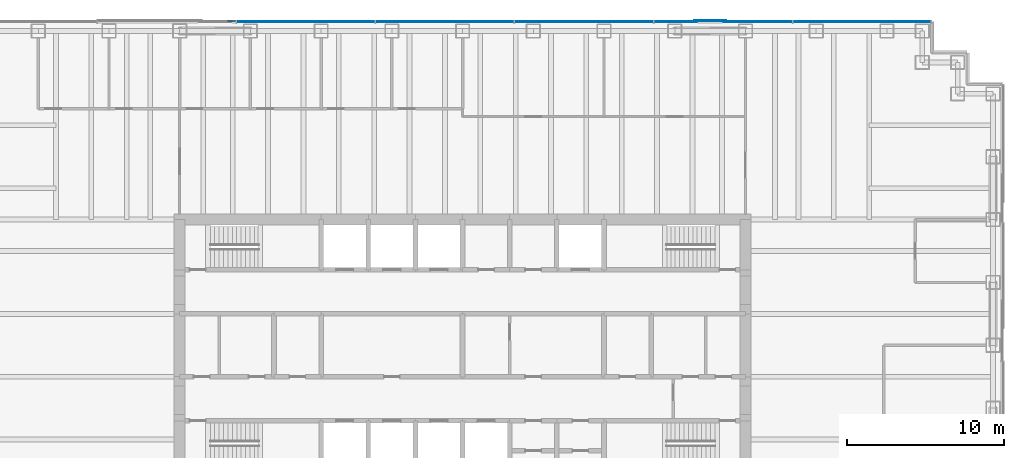
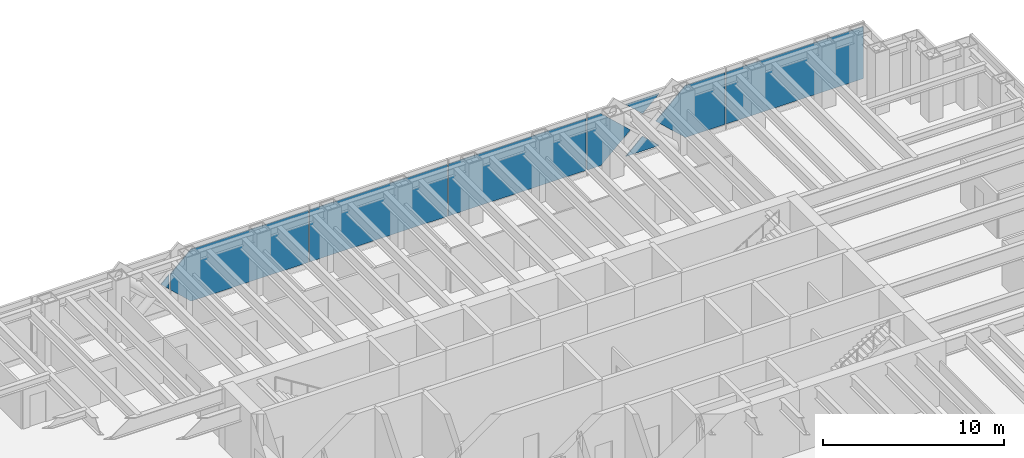
# One storey, part 12 of 17: 9 plates, 1 element without a shape of its own.
"""IFC4 building model written with IfcOpenShell, lengths in metres."""

from ifc_helpers import new_model, si_unit, direction, frame, origin, origin_2d, place, context, subcontext, project, spatial, polyline, rectangle, outline, extrude, material, layer, layer_set, type_object, element, aggregate, save


model = new_model("IFC4")

# Units and contexts
model_context = context("Model", 3, precision=1e-05, world=origin(), true_north=direction((0.0, 1.0)))
body_context = subcontext(model_context, "Body", "Model", "MODEL_VIEW")
ifc_project = project(units=[si_unit("LENGTHUNIT", "METRE"), si_unit("AREAUNIT", "SQUARE_METRE"), si_unit("VOLUMEUNIT", "CUBIC_METRE"), si_unit("PLANEANGLEUNIT", "RADIAN"), si_unit("MASSUNIT", "GRAM", prefix="KILO")], contexts=[model_context])

# Site, building, storey
site_placement = place(None, origin())
site = spatial("IfcSite", under=ifc_project, at=site_placement, CompositionType="ELEMENT")
building_placement = place(site_placement, origin())
building = spatial("IfcBuilding", under=site, at=building_placement, Name="Rheinbord Bourse Tower", CompositionType="ELEMENT")
storey_placement = place(building_placement, frame((0.0, 0.0, 317.300048828125)))
storey = spatial("IfcBuildingStorey", under=building, at=storey_placement, Name="L72", CompositionType="ELEMENT", Elevation=317.300048828125)

# Curtain wall, plates
ifc_material_1 = material(Name="Dark glass and black aluminium", Category="aluminium")
curtain_wall_type = type_object("IfcCurtainWallType", Name="CW3 DARK GLASS CURTAIN WALL", PredefinedType="USERDEFINED", material=ifc_material_1)
curtain_wall_placement = place(storey_placement, origin())
curtain_wall = element("IfcCurtainWall", 1, at=curtain_wall_placement, inside=storey, type_object=curtain_wall_type, Name="Curtain wall CW3 N L72", ObjectType="UNITISED CURTAIN WALL", PredefinedType="USERDEFINED")
ifc_material_2 = material(Name="Dark tinted triple insulating glass", Category="glass")
ifc_layer = layer(ifc_material_2, 0.055908203125)
ifc_layer_set = layer_set([ifc_layer], Name="CW3 DARK GLASS PANEL")
plate_type = type_object("IfcPlateType", Name="CW3 DARK GLASS PANEL", PredefinedType="CURTAIN_PANEL", material=ifc_layer_set)
plate_1_placement = place(storey_placement, frame((61.40869140625, 44.60009765625, 0.349853515625), z_axis=(0.0, 0.0, 1.0), x_axis=(-1.0, 0.0, 0.0)))
plate_1 = element("IfcPlate", 2, at=plate_1_placement, type_object=plate_type, Name="CW3 panel 1.1", PredefinedType="CURTAIN_PANEL", context=body_context, shape_type="SweptSolid", body=[
    extrude(rectangle(XDim=8.75244140625, YDim=0.055908203125, at=origin_2d()), origin(), (0.0, 0.0, 1.0), 3.5),
])
plate_2_placement = place(storey_placement, frame((43.72509765625, 44.60009765625, 0.349853515625), z_axis=(0.0, 0.0, 1.0), x_axis=(-1.0, 0.0, 0.0)))
plate_2 = element("IfcPlate", 3, at=plate_2_placement, type_object=plate_type, Name="CW3 panel 3.1", PredefinedType="CURTAIN_PANEL", context=body_context, shape_type="SweptSolid", body=[
    extrude(rectangle(XDim=8.784912109375, YDim=0.055908203125, at=origin_2d()), origin(), (0.0, 0.0, 1.0), 3.5),
])
plate_3_placement = place(storey_placement, frame((34.875, 44.60009765625, 0.349853515625), z_axis=(0.0, 0.0, 1.0), x_axis=(-1.0, 0.0, 0.0)))
plate_3 = element("IfcPlate", 4, at=plate_3_placement, type_object=plate_type, Name="CW3 panel 4.1", PredefinedType="CURTAIN_PANEL", context=body_context, shape_type="SweptSolid", body=[
    extrude(rectangle(XDim=8.784912109375, YDim=0.055908203125, at=origin_2d()), origin(), (0.0, 0.0, 1.0), 3.5),
])
plate_4_placement = place(storey_placement, frame((56.967041015625, 44.6279296875, 0.349853515625), z_axis=(0.0, -1.0, 0.0), x_axis=(0.0, 0.0, 1.0)))
plate_4 = element("IfcPlate", 5, at=plate_4_placement, type_object=plate_type, Name="CW3 glass facet 1", PredefinedType="CURTAIN_PANEL", context=body_context, shape_type="SweptSolid", body=[
    extrude(outline(polyline([(0.0, 0.0), (3.5, 0.0), (3.5, 2.530029296875), (1.75, 4.405029296875), (0.0, 2.530029296875), (0.0, 0.0)])), origin(), (0.0, 0.0, 1.0), 0.055908203125),
])
plate_5_placement = place(storey_placement, frame((52.81298828125, 44.68896484375, 0.349853515625), z_axis=(0.0, -1.0, 0.0), x_axis=(-0.731032934472, 0.0, 0.682342178616)))
plate_5 = element("IfcPlate", 6, at=plate_5_placement, type_object=plate_type, Name="CW3 glass facet 2", PredefinedType="CURTAIN_PANEL", context=body_context, shape_type="SweptSolid", body=[
    extrude(outline(polyline([(0.0, 0.0), (1.4541015625, 0.0), (1.55419921875, 1.45068359375), (0.0, 0.0)])), origin(), (0.0, 0.0, 1.0), 0.055908203125),
])
plate_6_placement = place(storey_placement, frame((50.68701171875, 44.68896484375, 3.849853515625), z_axis=(0.0, -1.0, 0.0), x_axis=(0.731116689111, 0.0, -0.682252436348)))
plate_6 = element("IfcPlate", 7, at=plate_6_placement, type_object=plate_type, Name="CW3 glass facet 3", PredefinedType="CURTAIN_PANEL", context=body_context, shape_type="SweptSolid", body=[
    extrude(outline(polyline([(0.0, 0.0), (1.453857421875, 0.0), (1.554443359375, 1.450439453125), (0.0, 0.0)])), origin(), (0.0, 0.0, 1.0), 0.055908203125),
])
plate_7_placement = place(storey_placement, frame((48.181884765625, 44.6279296875, 3.849853515625), z_axis=(0.0, -1.0, 0.0), x_axis=(0.0, 0.0, -1.0)))
plate_7 = element("IfcPlate", 8, at=plate_7_placement, type_object=plate_type, Name="CW3 glass facet 4", PredefinedType="CURTAIN_PANEL", context=body_context, shape_type="SweptSolid", body=[
    extrude(outline(polyline([(0.0, 0.0), (3.5, 0.0), (3.5, 0.881103515625), (1.75, 2.756103515625), (0.0, 0.881103515625), (0.0, 0.0)])), origin(), (0.0, 0.0, 1.0), 0.055908203125),
])
plate_8_placement = place(storey_placement, frame((30.4169921875, 44.6279296875, 0.349853515625), z_axis=(0.0, -1.0, 0.0), x_axis=(0.0, 0.0, 1.0)))
plate_8 = element("IfcPlate", 9, at=plate_8_placement, type_object=plate_type, Name="CW3 glass facet 1", PredefinedType="CURTAIN_PANEL", context=body_context, shape_type="SweptSolid", body=[
    extrude(outline(polyline([(0.0, 0.0), (3.5, 0.0), (3.5, 7.47998046875), (2.283203125, 8.784912109375), (1.217041015625, 8.784912109375), (0.0, 7.47998046875), (0.0, 0.0)])), origin(), (0.0, 0.0, 1.0), 0.055908203125),
])
plate_9_placement = place(storey_placement, frame((21.56689453125, 44.68896484375, 2.572021484375), z_axis=(0.0, -1.0, 0.0), x_axis=(-0.7303737135, 0.0, -0.683047757209)))
plate_9 = element("IfcPlate", 10, at=plate_9_placement, type_object=plate_type, Name="CW3 glass facet 1", PredefinedType="CURTAIN_PANEL", context=body_context, shape_type="SweptSolid", body=[
    extrude(outline(polyline([(0.0, 0.0), (0.691162109375, 0.0), (0.644775390625, 0.689453125), (0.0, 0.0)])), origin(), (0.0, 0.0, 1.0), 0.055908203125),
])
aggregate(curtain_wall, [plate_1, plate_2, plate_3, plate_4, plate_5, plate_6, plate_7, plate_8, plate_9])

save(model, "model.ifc")
